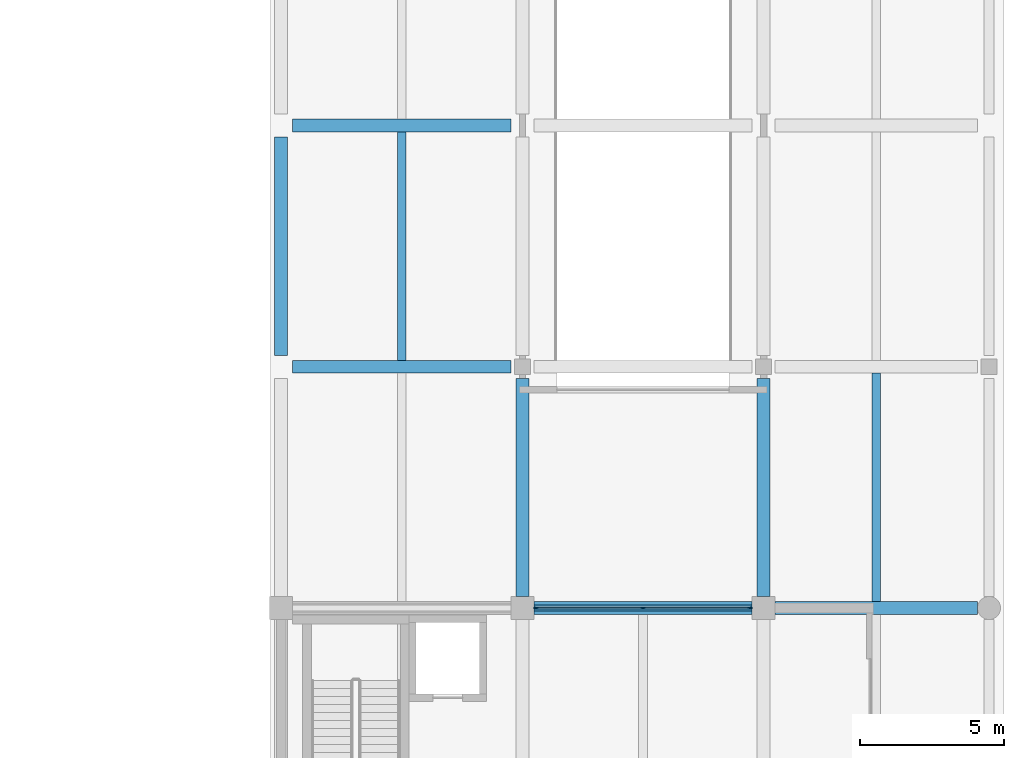
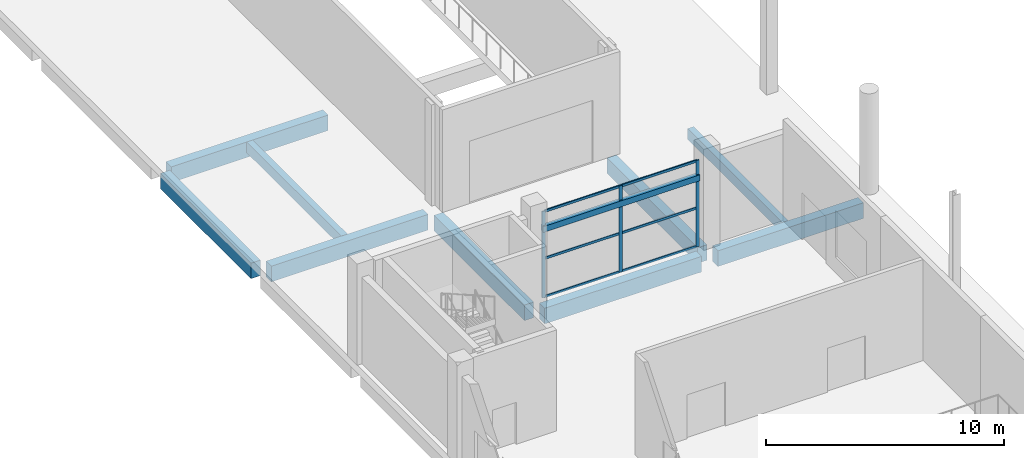
# One storey, part 16 of 34: 10 beams, 9 members, 1 element without a shape of its own.
"""IFC4 building model written with IfcOpenShell, lengths in metres."""

import ifcopenshell
import ifcopenshell.guid

model = None  # the IFC model being written
_history = None  # IfcOwnerHistory: only IFC2X3 demands one
_inside = {}  # id of a spatial element -> (the spatial element, [elements in it])
_under = {}  # id of a project, library or spatial element -> (it, [spatial elements below it])
_declared = {}  # id of a project -> (the project, [libraries it declares])
_typed = {}  # id of a type object -> (the type object, [elements of that type])
_made_of = {}  # id of a material, layer set ... -> (it, [elements and type objects made of it])


def new_model(schema):
    """Start an empty IFC model of exactly this schema.

    Asked for "IFC4X3", IfcOpenShell would pick the latest addendum, in which some entities
    have other attributes; the version numbers below select the first issue.
    IFC2X3 requires an IfcOwnerHistory on every rooted entity: one is made here for all.
    """
    global model, _history
    if schema == "IFC4X3":
        model = ifcopenshell.file(schema_version=(4, 3, 0, 0))
    else:
        model = ifcopenshell.file(schema=schema)
    _inside.clear()
    _under.clear()
    _declared.clear()
    _typed.clear()
    _made_of.clear()
    _history = None
    if model.schema == "IFC2X3":
        org = make("IfcOrganization", Name="unknown")
        user = make(
            "IfcPersonAndOrganization",
            ThePerson=make("IfcPerson", FamilyName="unknown"),
            TheOrganization=org,
        )
        app = make(
            "IfcApplication",
            ApplicationDeveloper=org,
            Version="unknown",
            ApplicationFullName="unknown",
            ApplicationIdentifier="unknown",
        )
        _history = make(
            "IfcOwnerHistory",
            OwningUser=user,
            OwningApplication=app,
            ChangeAction="ADDED",
            CreationDate=0,
        )
    return model


def make(cls, **values):
    """One entity of the class cls with the attributes given. An attribute that is None is left unset."""
    return model.create_entity(
        cls, **{name: value for name, value in values.items() if value is not None}
    )


def rooted(cls, **values):
    """An entity with a GlobalId (a new one), such as an element, a storey or a relation."""
    return make(cls, GlobalId=ifcopenshell.guid.new(), OwnerHistory=_history, **values)


def si_unit(unit_type, name, prefix=None):
    """IfcSIUnit, for example si_unit("LENGTHUNIT", "METRE", prefix="MILLI")."""
    return make("IfcSIUnit", UnitType=unit_type, Prefix=prefix, Name=name)


def assignment(units):
    """IfcUnitAssignment: the units of a project."""
    return None if units is None else make("IfcUnitAssignment", Units=units)


def point(xyz):
    """IfcCartesianPoint."""
    return None if xyz is None else make("IfcCartesianPoint", Coordinates=xyz)


def direction(xyz):
    """IfcDirection."""
    return None if xyz is None else make("IfcDirection", DirectionRatios=xyz)


def frame(location, z_axis=None, x_axis=None):
    """IfcAxis2Placement3D, a coordinate frame: its origin and axes. An axis left out is left unset."""
    return make(
        "IfcAxis2Placement3D",
        Location=point(location),
        Axis=direction(z_axis),
        RefDirection=direction(x_axis),
    )


def frame_2d(location, x_axis=None):
    """IfcAxis2Placement2D, a coordinate frame in the plane: its origin and x axis."""
    return make(
        "IfcAxis2Placement2D", Location=point(location), RefDirection=direction(x_axis)
    )


def origin():
    """The frame at (0, 0, 0) with its axes left unset."""
    return frame((0.0, 0.0, 0.0))


def origin_2d():
    """The frame at (0, 0) in the plane with its x axis left unset."""
    return frame_2d((0.0, 0.0))


def place(relative_to, where):
    """IfcLocalPlacement: puts the frame where relative to a parent placement (None: the world)."""
    return make(
        "IfcLocalPlacement", PlacementRelTo=relative_to, RelativePlacement=where
    )


def context(
    kind, dimensions, precision=None, world=None, true_north=None, identifier=None
):
    """IfcGeometricRepresentationContext, for example the 3D "Model" context."""
    return make(
        "IfcGeometricRepresentationContext",
        ContextIdentifier=identifier,
        ContextType=kind,
        CoordinateSpaceDimension=dimensions,
        Precision=precision,
        WorldCoordinateSystem=world,
        TrueNorth=true_north,
    )


def subcontext(parent, identifier, kind, view, scale=None):
    """IfcGeometricRepresentationSubContext, for example "Body" below "Model"."""
    return make(
        "IfcGeometricRepresentationSubContext",
        ContextIdentifier=identifier,
        ContextType=kind,
        ParentContext=parent,
        TargetScale=scale,
        TargetView=view,
    )


def project(units=None, contexts=None):
    """IfcProject with its units and contexts."""
    return rooted(
        "IfcProject",
        Name="project",
        RepresentationContexts=contexts,
        UnitsInContext=assignment(units),
    )


def spatial(cls, under=None, at=None, **own):
    """A site, building, storey or space (cls), placed at a placement, below another one or the project."""
    s = rooted(cls, ObjectPlacement=at, **own)
    if under is not None:
        _under.setdefault(under.id(), (under, []))[1].append(s)
    return s


def profile(cls, at=None, kind="AREA", **sizes):
    """A parametric profile (cls). Its sizes go by their IFC names, for example OverallWidth=200.0."""
    return make(cls, ProfileType=kind, Position=at, **sizes)


def rectangle(**sizes):
    """IfcRectangleProfileDef."""
    return profile("IfcRectangleProfileDef", **sizes)


def extrude(swept, where, along, depth):
    """IfcExtrudedAreaSolid: the profile swept, set in the frame where, extruded along a direction by depth."""
    return make(
        "IfcExtrudedAreaSolid",
        SweptArea=swept,
        Position=where,
        ExtrudedDirection=direction(along),
        Depth=depth,
    )


def shape(context_of_items, identifier, shape_type, items):
    """IfcShapeRepresentation: the items that make up one representation, for example the "Body"."""
    return make(
        "IfcShapeRepresentation",
        ContextOfItems=context_of_items,
        RepresentationIdentifier=identifier,
        RepresentationType=shape_type,
        Items=items,
    )


def material(Name=None, Category=None):
    """IfcMaterial."""
    return make("IfcMaterial", Name=Name, Category=Category)


def material_profile(
    of_material, cross_section, Name=None, Category=None, Priority=None
):
    """IfcMaterialProfile: a cross section and its material."""
    return make(
        "IfcMaterialProfile",
        Name=Name,
        Material=of_material,
        Profile=cross_section,
        Priority=Priority,
        Category=Category,
    )


def profile_set(profiles, Name=None, composite=None):
    """IfcMaterialProfileSet."""
    return make(
        "IfcMaterialProfileSet",
        Name=Name,
        MaterialProfiles=profiles,
        CompositeProfile=composite,
    )


def made_of(thing, what):
    """Note that an element or type object is made of a material, layer set ...; save() writes the relation."""
    if what is not None:
        _made_of.setdefault(what.id(), (what, []))[1].append(thing)
    return thing


def type_object(cls, material=None, **own):
    """A type object (cls), such as IfcWallType, which elements share."""
    return made_of(rooted(cls, **own), material)


def element(
    cls,
    number,
    at=None,
    inside=None,
    cuts=None,
    type_object=None,
    material=None,
    context=None,
    identifier="Body",
    shape_type=None,
    held_by="IfcProductDefinitionShape",
    body=None,
    shapes=None,
    **own,
):
    """One element of the class cls, such as IfcWall. Its Tag is "e" and its number.

    at: its placement. inside: the storey or other place that contains it. cuts: it is an
    opening in that element (IfcRelVoidsElement). A single representation is given by context,
    identifier, shape_type and body (its items); several are given by shapes. held_by: the class
    of the entity that holds the representations. save() writes the other relations.
    """
    e = rooted(cls, Tag="e%d" % number, ObjectPlacement=at, **own)
    if body is not None:
        shapes = [shape(context, identifier, shape_type, body)]
    if shapes is not None:
        e.Representation = make(held_by, Representations=shapes)
    if inside is not None:
        _inside.setdefault(inside.id(), (inside, []))[1].append(e)
    if cuts is not None:
        rooted(
            "IfcRelVoidsElement", RelatingBuildingElement=cuts, RelatedOpeningElement=e
        )
    if type_object is not None:
        _typed.setdefault(type_object.id(), (type_object, []))[1].append(e)
    return made_of(e, material)


def aggregate(whole, parts):
    """IfcRelAggregates: a whole, such as a stair, and the parts it consists of."""
    return rooted("IfcRelAggregates", RelatingObject=whole, RelatedObjects=parts)


def save(model, path):
    """Write the relations noted so far, then the file.

    IfcRelAggregates (storeys below a building ...), IfcRelContainedInSpatialStructure (elements
    in a storey), IfcRelDefinesByType, IfcRelAssociatesMaterial and IfcRelDeclares: one each for
    every whole, place, type object, material and project.
    """
    for whole, parts in _under.values():
        aggregate(whole, parts)
    for where, things in _inside.values():
        rooted(
            "IfcRelContainedInSpatialStructure",
            RelatedElements=things,
            RelatingStructure=where,
        )
    for kind, things in _typed.values():
        rooted("IfcRelDefinesByType", RelatedObjects=things, RelatingType=kind)
    for what, things in _made_of.values():
        rooted("IfcRelAssociatesMaterial", RelatedObjects=things, RelatingMaterial=what)
    for by, libraries in _declared.values():
        rooted("IfcRelDeclares", RelatingContext=by, RelatedDefinitions=libraries)
    model.write(path)


model = new_model("IFC4")

# Units and contexts
model_context = context("Model", 3, precision=1e-05, world=origin(), true_north=direction((0.0, 1.0)))
body_context = subcontext(model_context, "Body", "Model", "MODEL_VIEW")
ifc_project = project(units=[si_unit("LENGTHUNIT", "METRE"), si_unit("AREAUNIT", "SQUARE_METRE"), si_unit("VOLUMEUNIT", "CUBIC_METRE"), si_unit("PLANEANGLEUNIT", "RADIAN"), si_unit("MASSUNIT", "GRAM", prefix="KILO")], contexts=[model_context])

# Site, building, storey
site_placement = place(None, origin())
site = spatial("IfcSite", under=ifc_project, at=site_placement, CompositionType="ELEMENT")
building_placement = place(site_placement, origin())
building = spatial("IfcBuilding", under=site, at=building_placement, Name="Brinegate Botanical Conservatory", CompositionType="ELEMENT")
storey_placement = place(building_placement, origin())
storey = spatial("IfcBuildingStorey", under=building, at=storey_placement, Name="L01", CompositionType="ELEMENT", Elevation=0.0)

# Beams
ifc_material_1 = material(Name="Concrete C40/50", Category="concrete")
ifc_material_profile_1 = material_profile(ifc_material_1, rectangle(XDim=0.449951171875, YDim=0.800048828125, at=origin_2d()), Name="RC BM 450x800")
ifc_profile_set_1 = profile_set([ifc_material_profile_1], Name="Concrete C40/50")
beam_type_1 = type_object("IfcBeamType", Name="Beam_BM-G1", PredefinedType="BEAM", material=ifc_profile_set_1)
beam_1_placement = place(storey_placement, frame((147.60009765625, 42.0, -0.804931640625), z_axis=(1.0, 0.0, 0.0), x_axis=(0.0, 1.0, 0.0)))
element("IfcBeam", 1, at=beam_1_placement, inside=storey, type_object=beam_type_1, Name="Beam BM-G1 L01 F:19-20", PredefinedType="BEAM", context=body_context, shape_type="SweptSolid", body=[
    extrude(rectangle(XDim=0.449951171875, YDim=0.800048828125, at=origin_2d()), origin(), (0.0, 0.0, 1.0), 7.599853515625),
])
beam_2_placement = place(storey_placement, frame((156.0, 42.0, -0.804931640625), z_axis=(1.0, 0.0, 0.0), x_axis=(0.0, 1.0, 0.0)))
element("IfcBeam", 2, at=beam_2_placement, inside=storey, type_object=beam_type_1, Name="Beam BM-G1 L01 F:20-21", PredefinedType="BEAM", context=body_context, shape_type="SweptSolid", body=[
    extrude(rectangle(XDim=0.449951171875, YDim=0.800048828125, at=origin_2d()), origin(), (0.0, 0.0, 1.0), 7.050048828125),
])
for number, where, z_axis, x_axis, name in (
    (3, (139.199951171875, 50.39990234375, -0.804931640625), (1.0, 0.0, 0.0), (0.0, 1.0, 0.0), "Beam BM-G1 L01 G:18-19"),
    (4, (139.199951171875, 58.800048828125, -0.804931640625), (1.0, 0.0, 0.0), (0.0, 1.0, 0.0), "Beam BM-G1 L01 H:18-19"),
):
    element("IfcBeam", number, at=place(storey_placement, frame(where, z_axis=z_axis, x_axis=x_axis)), inside=storey, type_object=beam_type_1, Name=name, PredefinedType="BEAM", context=body_context, shape_type="SweptSolid", body=[
        extrude(rectangle(XDim=0.449951171875, YDim=0.800048828125, at=origin_2d()), origin(), (0.0, 0.0, 1.0), 7.60009765625),
    ])
beam_3_placement = place(storey_placement, frame((138.800048828125, 50.800048828125, -0.804931640625), z_axis=(0.0, 1.0, 0.0), x_axis=(-1.0, 0.0, 0.0)))
element("IfcBeam", 5, at=beam_3_placement, inside=storey, type_object=beam_type_1, Name="Beam BM-G1 L01 18:G-H", PredefinedType="BEAM", context=body_context, shape_type="SweptSolid", body=[
    extrude(rectangle(XDim=0.449951171875, YDim=0.800048828125, at=origin_2d()), origin(), (0.0, 0.0, 1.0), 7.599853515625),
])
for number, where, z_axis, x_axis, name in (
    (6, (147.199951171875, 42.39990234375, -0.804931640625), (0.0, 1.0, 0.0), (-1.0, 0.0, 0.0), "Beam BM-G1 L01 19:F-G"),
    (7, (155.60009765625, 42.39990234375, -0.804931640625), (0.0, 1.0, 0.0), (-1.0, 0.0, 0.0), "Beam BM-G1 L01 20:F-G"),
):
    element("IfcBeam", number, at=place(storey_placement, frame(where, z_axis=z_axis, x_axis=x_axis)), inside=storey, type_object=beam_type_1, Name=name, PredefinedType="BEAM", context=body_context, shape_type="SweptSolid", body=[
        extrude(rectangle(XDim=0.449951171875, YDim=0.800048828125, at=origin_2d()), origin(), (0.0, 0.0, 1.0), 7.60009765625),
    ])
ifc_material_profile_2 = material_profile(ifc_material_1, rectangle(XDim=0.300048828125, YDim=0.550048828125, at=origin_2d()), Name="RC JST 300x550")
ifc_profile_set_2 = profile_set([ifc_material_profile_2], Name="Concrete C40/50")
beam_type_2 = type_object("IfcBeamType", Name="Beam_JS-C1", PredefinedType="JOIST", material=ifc_profile_set_2)
for number, where, z_axis, x_axis, name in (
    (8, (143.0, 50.625, -0.679931640625), (0.0, 1.0, 0.0), (-1.0, 0.0, 0.0), "Floor joist JS-C1 L01 bay 18.7"),
    (9, (159.52490234375, 42.22509765625, -0.679931640625), (0.0, 1.0, 0.0), (-1.0, 0.0, 0.0), "Floor joist JS-C1 L01 bay 20.6"),
):
    element("IfcBeam", number, at=place(storey_placement, frame(where, z_axis=z_axis, x_axis=x_axis)), inside=storey, type_object=beam_type_2, Name=name, PredefinedType="JOIST", context=body_context, shape_type="SweptSolid", body=[
        extrude(rectangle(XDim=0.300048828125, YDim=0.550048828125, at=origin_2d()), origin(), (0.0, 0.0, 1.0), 7.949951171875),
    ])
ifc_material_2 = material(Name="Precast concrete C40/50", Category="concrete")
ifc_material_profile_3 = material_profile(ifc_material_2, rectangle(XDim=0.199951171875, YDim=0.300048828125, at=origin_2d()), Name="RC LNT 200x300")
ifc_profile_set_3 = profile_set([ifc_material_profile_3], Name="Precast concrete C40/50")
beam_type_3 = type_object("IfcBeamType", Name="Beam_LN-02", PredefinedType="LINTEL", material=ifc_profile_set_3)
beam_4_placement = place(storey_placement, frame((147.60009765625, 42.0, 3.550048828125), z_axis=(1.0, 0.0, 0.0), x_axis=(0.0, 1.0, 0.0)))
element("IfcBeam", 10, at=beam_4_placement, inside=storey, type_object=beam_type_3, Name="Warehouse opening lintel LN-02 8", PredefinedType="LINTEL", context=body_context, shape_type="SweptSolid", body=[
    extrude(rectangle(XDim=0.199951171875, YDim=0.300048828125, at=origin_2d()), origin(), (0.0, 0.0, 1.0), 7.599853515625),
])

# Curtain wall, members
ifc_material_3 = material(Name="Thermally broken anodised aluminium AW-6063-T6", Category="aluminium")
curtain_wall_type = type_object("IfcCurtainWallType", Name="CW_CW-V2", PredefinedType="USERDEFINED", material=ifc_material_3)
curtain_wall_placement = place(storey_placement, origin())
curtain_wall = element("IfcCurtainWall", 11, at=curtain_wall_placement, inside=storey, type_object=curtain_wall_type, Name="Auditorium north foyer curtain bay L01", ObjectType="FACTORY CURTAIN WALL", PredefinedType="USERDEFINED")
ifc_material_profile_4 = material_profile(ifc_material_3, rectangle(XDim=0.06005859375, YDim=0.159912109375, at=origin_2d()), Name="ALUM MULLION 60x160")
ifc_profile_set_4 = profile_set([ifc_material_profile_4], Name="Thermally broken anodised aluminium AW-6063-T6")
member_type_1 = type_object("IfcMemberType", Name="Member_ML-01", PredefinedType="MULLION", material=ifc_profile_set_4)
member_1_placement = place(storey_placement, frame((147.669921875, 42.0, 0.0), z_axis=(0.0, 0.0, 1.0), x_axis=(0.0, 1.0, 0.0)))
member_1 = element("IfcMember", 12, at=member_1_placement, type_object=member_type_1, Name="CW-V2 mullion 1", PredefinedType="MULLION", context=body_context, shape_type="SweptSolid", body=[
    extrude(rectangle(XDim=0.06005859375, YDim=0.159912109375, at=origin_2d()), origin(), (0.0, 0.0, 1.0), 4.429931640625),
])
member_2_placement = place(storey_placement, frame((151.39990234375, 42.0, 0.0), z_axis=(0.0, 0.0, 1.0), x_axis=(0.0, 1.0, 0.0)))
member_2 = element("IfcMember", 13, at=member_2_placement, type_object=member_type_1, Name="CW-V2 mullion 2", PredefinedType="MULLION", context=body_context, shape_type="SweptSolid", body=[
    extrude(rectangle(XDim=0.06005859375, YDim=0.159912109375, at=origin_2d()), origin(), (0.0, 0.0, 1.0), 4.429931640625),
])
member_3_placement = place(storey_placement, frame((155.1298828125, 42.0, 0.0), z_axis=(0.0, 0.0, 1.0), x_axis=(0.0, 1.0, 0.0)))
member_3 = element("IfcMember", 14, at=member_3_placement, type_object=member_type_1, Name="CW-V2 mullion 3", PredefinedType="MULLION", context=body_context, shape_type="SweptSolid", body=[
    extrude(rectangle(XDim=0.06005859375, YDim=0.159912109375, at=origin_2d()), origin(), (0.0, 0.0, 1.0), 4.429931640625),
])
ifc_material_profile_5 = material_profile(ifc_material_3, rectangle(XDim=0.06005859375, YDim=0.1201171875, at=origin_2d()), Name="ALUM TRANSOM 60x120")
ifc_profile_set_5 = profile_set([ifc_material_profile_5], Name="Thermally broken anodised aluminium AW-6063-T6")
member_type_2 = type_object("IfcMemberType", Name="Member_TR-01", PredefinedType="USERDEFINED", material=ifc_profile_set_5)
member_4_placement = place(storey_placement, frame((147.699951171875, 42.0, 0.030029296875), z_axis=(1.0, 0.0, 0.0), x_axis=(0.0, 1.0, 0.0)))
member_4 = element("IfcMember", 15, at=member_4_placement, type_object=member_type_2, Name="CW-V2 transom 1.1", ObjectType="TRANSOM", PredefinedType="USERDEFINED", context=body_context, shape_type="SweptSolid", body=[
    extrude(rectangle(XDim=0.06005859375, YDim=0.1201171875, at=origin_2d()), origin(), (0.0, 0.0, 1.0), 3.670166015625),
])
member_5_placement = place(storey_placement, frame((147.699951171875, 42.0, 1.992919921875), z_axis=(1.0, 0.0, 0.0), x_axis=(0.0, 1.0, 0.0)))
member_5 = element("IfcMember", 16, at=member_5_placement, type_object=member_type_2, Name="CW-V2 transom 1.2", ObjectType="TRANSOM", PredefinedType="USERDEFINED", context=body_context, shape_type="SweptSolid", body=[
    extrude(rectangle(XDim=0.06005859375, YDim=0.1201171875, at=origin_2d()), origin(), (0.0, 0.0, 1.0), 3.670166015625),
])
member_6_placement = place(storey_placement, frame((147.699951171875, 42.0, 4.39990234375), z_axis=(1.0, 0.0, 0.0), x_axis=(0.0, 1.0, 0.0)))
member_6 = element("IfcMember", 17, at=member_6_placement, type_object=member_type_2, Name="CW-V2 transom 1.3", ObjectType="TRANSOM", PredefinedType="USERDEFINED", context=body_context, shape_type="SweptSolid", body=[
    extrude(rectangle(XDim=0.06005859375, YDim=0.1201171875, at=origin_2d()), origin(), (0.0, 0.0, 1.0), 3.670166015625),
])
member_7_placement = place(storey_placement, frame((151.429931640625, 42.0, 0.030029296875), z_axis=(1.0, 0.0, 0.0), x_axis=(0.0, 1.0, 0.0)))
member_7 = element("IfcMember", 18, at=member_7_placement, type_object=member_type_2, Name="CW-V2 transom 2.1", ObjectType="TRANSOM", PredefinedType="USERDEFINED", context=body_context, shape_type="SweptSolid", body=[
    extrude(rectangle(XDim=0.06005859375, YDim=0.1201171875, at=origin_2d()), origin(), (0.0, 0.0, 1.0), 3.670166015625),
])
member_8_placement = place(storey_placement, frame((151.429931640625, 42.0, 1.992919921875), z_axis=(1.0, 0.0, 0.0), x_axis=(0.0, 1.0, 0.0)))
member_8 = element("IfcMember", 19, at=member_8_placement, type_object=member_type_2, Name="CW-V2 transom 2.2", ObjectType="TRANSOM", PredefinedType="USERDEFINED", context=body_context, shape_type="SweptSolid", body=[
    extrude(rectangle(XDim=0.06005859375, YDim=0.1201171875, at=origin_2d()), origin(), (0.0, 0.0, 1.0), 3.670166015625),
])
member_9_placement = place(storey_placement, frame((151.429931640625, 42.0, 4.39990234375), z_axis=(1.0, 0.0, 0.0), x_axis=(0.0, 1.0, 0.0)))
member_9 = element("IfcMember", 20, at=member_9_placement, type_object=member_type_2, Name="CW-V2 transom 2.3", ObjectType="TRANSOM", PredefinedType="USERDEFINED", context=body_context, shape_type="SweptSolid", body=[
    extrude(rectangle(XDim=0.06005859375, YDim=0.1201171875, at=origin_2d()), origin(), (0.0, 0.0, 1.0), 3.670166015625),
])
aggregate(curtain_wall, [member_1, member_2, member_3, member_4, member_5, member_6, member_7, member_8, member_9])

save(model, "model.ifc")
